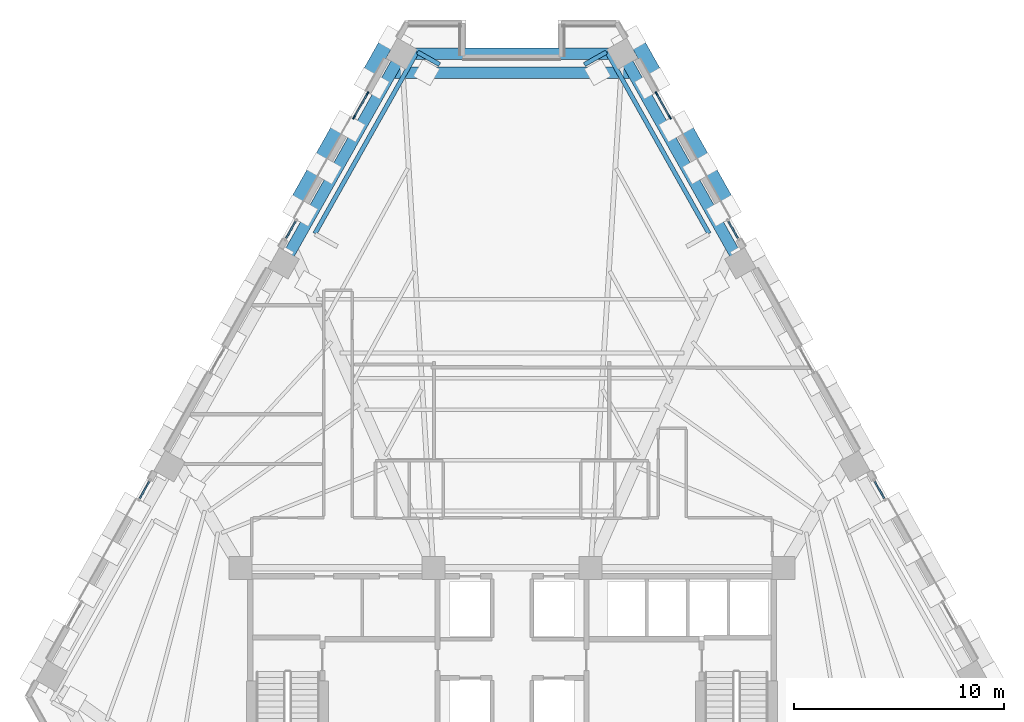
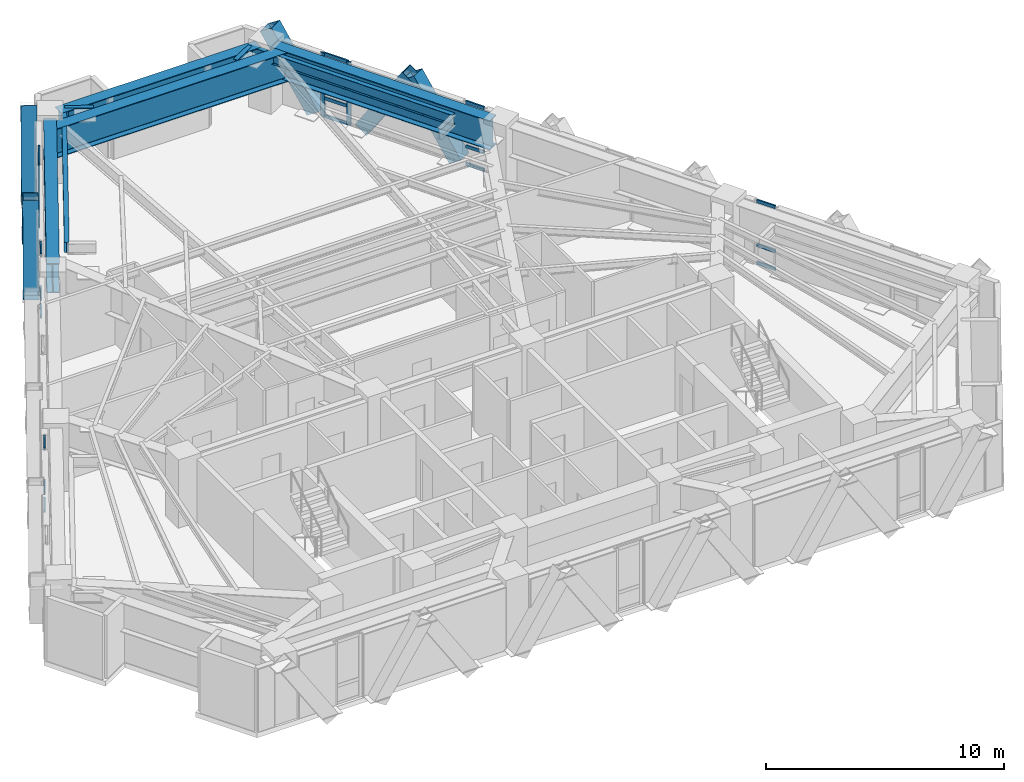
# One storey, part 5 of 13: 28 members, 8 beams, 6 elements without a shape of their own.
"""IFC4 building model written with IfcOpenShell, lengths in metres."""

from ifc_helpers import new_model, si_unit, direction, frame, origin, origin_2d, place, context, subcontext, project, spatial, rectangle, hollow_rectangle, i_section, extrude, material, material_profile, profile_set, type_object, element, aggregate, save


model = new_model("IFC4")

# Units and contexts
model_context = context("Model", 3, precision=1e-05, world=origin(), true_north=direction((0.0, 1.0)))
body_context = subcontext(model_context, "Body", "Model", "MODEL_VIEW")
ifc_project = project(units=[si_unit("LENGTHUNIT", "METRE"), si_unit("AREAUNIT", "SQUARE_METRE"), si_unit("VOLUMEUNIT", "CUBIC_METRE"), si_unit("PLANEANGLEUNIT", "RADIAN"), si_unit("MASSUNIT", "GRAM", prefix="KILO")], contexts=[model_context])

# Site, building, storey
site_placement = place(None, origin())
site = spatial("IfcSite", under=ifc_project, at=site_placement, CompositionType="ELEMENT")
building_placement = place(site_placement, origin())
building = spatial("IfcBuilding", under=site, at=building_placement, Name="Quenlor Broadcast Tower", CompositionType="ELEMENT")
storey_placement = place(building_placement, frame((0.0, 0.0, 126.5)))
storey = spatial("IfcBuildingStorey", under=building, at=storey_placement, Name="L34", CompositionType="ELEMENT", Elevation=126.5)

# Curtain wall, members
ifc_material_1 = material(Name="Architectural Terracotta and Low-E Glazing", Category="masonry")
curtain_wall_type = type_object("IfcCurtainWallType", Name="Unitised Terracotta Curtain Wall System Z2", PredefinedType="NOTDEFINED", material=ifc_material_1)
curtain_wall_1_placement = place(storey_placement, origin())
curtain_wall_1 = element("IfcCurtainWall", 1, at=curtain_wall_1_placement, inside=storey, type_object=curtain_wall_type, Name="L34 Curtain Wall CW2 (L34-NEA-G1)", PredefinedType="NOTDEFINED")
ifc_material_2 = material(Name="Aluminium 6063-T6", Category="aluminium")
ifc_material_profile_1 = material_profile(ifc_material_2, rectangle(XDim=0.074951171875, YDim=0.199951171875, at=origin_2d()))
ifc_profile_set_1 = profile_set([ifc_material_profile_1], Name="Aluminium 6063-T6 MULL75x200")
member_type_1 = type_object("IfcMemberType", Name="CW2 Aluminium Mullion MULL_CW2", PredefinedType="MULLION", material=ifc_profile_set_1)
member_1_placement = place(storey_placement, frame((6.893310546875, 17.81884765625, 0.0), z_axis=(0.0, 0.0, 1.0), x_axis=(0.871583366376, 0.490247320704, 0.0)))
member_1 = element("IfcMember", 2, at=member_1_placement, type_object=member_type_1, Name="CW2 mullion 1", PredefinedType="MULLION", context=body_context, shape_type="SweptSolid", body=[
    extrude(rectangle(XDim=0.074951171875, YDim=0.199951171875, at=origin_2d()), origin(), (0.0, 0.0, 1.0), 3.25),
])
member_2_placement = place(storey_placement, frame((7.525390625, 16.695068359375, 0.0), z_axis=(0.0, 0.0, 1.0), x_axis=(0.871583366376, 0.490247320704, 0.0)))
member_2 = element("IfcMember", 3, at=member_2_placement, type_object=member_type_1, Name="CW2 mullion 2", PredefinedType="MULLION", context=body_context, shape_type="SweptSolid", body=[
    extrude(rectangle(XDim=0.074951171875, YDim=0.199951171875, at=origin_2d()), origin(), (0.0, 0.0, 1.0), 3.25),
])

curtain_wall_2_placement = place(storey_placement, origin())
curtain_wall_2 = element("IfcCurtainWall", 4, at=curtain_wall_2_placement, inside=storey, type_object=curtain_wall_type, Name="L34 Curtain Wall CW2 (L34-NWC-G2)", PredefinedType="NOTDEFINED")
member_3_placement = place(storey_placement, frame((-7.525390625, 16.695068359375, 0.0), z_axis=(0.0, 0.0, 1.0), x_axis=(-0.871583366376, 0.490247320704, 0.0)))
member_3 = element("IfcMember", 5, at=member_3_placement, type_object=member_type_1, Name="CW2 mullion 1", PredefinedType="MULLION", context=body_context, shape_type="SweptSolid", body=[
    extrude(rectangle(XDim=0.074951171875, YDim=0.199951171875, at=origin_2d()), origin(), (0.0, 0.0, 1.0), 3.25),
])
member_4_placement = place(storey_placement, frame((-6.893310546875, 17.81884765625, 0.0), z_axis=(0.0, 0.0, 1.0), x_axis=(-0.871583366376, 0.490247320704, 0.0)))
member_4 = element("IfcMember", 6, at=member_4_placement, type_object=member_type_1, Name="CW2 mullion 2", PredefinedType="MULLION", context=body_context, shape_type="SweptSolid", body=[
    extrude(rectangle(XDim=0.074951171875, YDim=0.199951171875, at=origin_2d()), origin(), (0.0, 0.0, 1.0), 3.25),
])

# Member
ifc_material_3 = material(Name="Aluminium 6063-T6", Category="aluminium")
ifc_material_profile_2 = material_profile(ifc_material_3, rectangle(XDim=0.074951171875, YDim=0.1650390625, at=origin_2d()))
ifc_profile_set_2 = profile_set([ifc_material_profile_2], Name="Aluminium 6063-T6 TRAN75x165")
member_type_2 = type_object("IfcMemberType", Name="CW2 Aluminium Transom TRAN_CW2", PredefinedType="USERDEFINED", material=ifc_profile_set_2)
member_5_placement = place(storey_placement, frame((6.91162109375, 17.7861328125, 0.03759765625), z_axis=(0.490347143438, -0.871527210661, 0.0), x_axis=(0.871527210661, 0.490347143438, 0.0)))
member_5 = element("IfcMember", 7, at=member_5_placement, type_object=member_type_2, Name="CW2 transom 1.1", ObjectType="TRANSOM", PredefinedType="USERDEFINED", context=body_context, shape_type="SweptSolid", body=[
    extrude(rectangle(XDim=0.074951171875, YDim=0.1650390625, at=origin_2d()), origin(), (0.0, 0.0, 1.0), 1.21435546875),
])

member_6_placement = place(storey_placement, frame((6.91162109375, 17.7861328125, 0.949951171875), z_axis=(0.490347143438, -0.871527210661, 0.0), x_axis=(0.871527210661, 0.490347143438, 0.0)))
member_6 = element("IfcMember", 8, at=member_6_placement, type_object=member_type_2, Name="CW2 transom 1.2", ObjectType="TRANSOM", PredefinedType="USERDEFINED", context=body_context, shape_type="SweptSolid", body=[
    extrude(rectangle(XDim=0.074951171875, YDim=0.1650390625, at=origin_2d()), origin(), (0.0, 0.0, 1.0), 1.21435546875),
])

member_7_placement = place(storey_placement, frame((6.91162109375, 17.7861328125, 3.21240234375), z_axis=(0.490347143438, -0.871527210661, 0.0), x_axis=(0.871527210661, 0.490347143438, 0.0)))
member_7 = element("IfcMember", 9, at=member_7_placement, type_object=member_type_2, Name="CW2 transom 1.3", ObjectType="TRANSOM", PredefinedType="USERDEFINED", context=body_context, shape_type="SweptSolid", body=[
    extrude(rectangle(XDim=0.074951171875, YDim=0.1650390625, at=origin_2d()), origin(), (0.0, 0.0, 1.0), 1.21435546875),
])

aggregate(curtain_wall_1, [member_1, member_2, member_5, member_6, member_7])

# Curtain wall, members
curtain_wall_3_placement = place(storey_placement, origin())
curtain_wall_3 = element("IfcCurtainWall", 10, at=curtain_wall_3_placement, inside=storey, type_object=curtain_wall_type, Name="L34 Curtain Wall CW2 (L34-NEA-G2)", PredefinedType="NOTDEFINED")
member_8_placement = place(storey_placement, frame((10.32470703125, 11.718505859375, 0.03759765625), z_axis=(0.490363403455, -0.871518062092, 0.0), x_axis=(0.871518062092, 0.490363403455, 0.0)))
member_8 = element("IfcMember", 11, at=member_8_placement, type_object=member_type_2, Name="CW2 transom 1.1", ObjectType="TRANSOM", PredefinedType="USERDEFINED", context=body_context, shape_type="SweptSolid", body=[
    extrude(rectangle(XDim=0.074951171875, YDim=0.1650390625, at=origin_2d()), origin(), (0.0, 0.0, 1.0), 0.90771484375),
])
member_9_placement = place(storey_placement, frame((10.32470703125, 11.718505859375, 0.949951171875), z_axis=(0.490363403455, -0.871518062092, 0.0), x_axis=(0.871518062092, 0.490363403455, 0.0)))
member_9 = element("IfcMember", 12, at=member_9_placement, type_object=member_type_2, Name="CW2 transom 1.2", ObjectType="TRANSOM", PredefinedType="USERDEFINED", context=body_context, shape_type="SweptSolid", body=[
    extrude(rectangle(XDim=0.074951171875, YDim=0.1650390625, at=origin_2d()), origin(), (0.0, 0.0, 1.0), 0.90771484375),
])
member_10_placement = place(storey_placement, frame((10.32470703125, 11.718505859375, 3.21240234375), z_axis=(0.490363403455, -0.871518062092, 0.0), x_axis=(0.871518062092, 0.490363403455, 0.0)))
member_10 = element("IfcMember", 13, at=member_10_placement, type_object=member_type_2, Name="CW2 transom 1.3", ObjectType="TRANSOM", PredefinedType="USERDEFINED", context=body_context, shape_type="SweptSolid", body=[
    extrude(rectangle(XDim=0.074951171875, YDim=0.1650390625, at=origin_2d()), origin(), (0.0, 0.0, 1.0), 0.90771484375),
])
aggregate(curtain_wall_3, [member_8, member_9, member_10])

curtain_wall_4_placement = place(storey_placement, origin())
curtain_wall_4 = element("IfcCurtainWall", 14, at=curtain_wall_4_placement, inside=storey, type_object=curtain_wall_type, Name="L34 Curtain Wall CW2 (L34-NEC-G1)", PredefinedType="NOTDEFINED")
member_11_placement = place(storey_placement, frame((17.30126953125, -0.684326171875, 0.03759765625), z_axis=(0.490363403455, -0.871518062092, 0.0), x_axis=(0.871518062092, 0.490363403455, 0.0)))
member_11 = element("IfcMember", 15, at=member_11_placement, type_object=member_type_2, Name="CW2 transom 1.1", ObjectType="TRANSOM", PredefinedType="USERDEFINED", context=body_context, shape_type="SweptSolid", body=[
    extrude(rectangle(XDim=0.074951171875, YDim=0.1650390625, at=origin_2d()), origin(), (0.0, 0.0, 1.0), 0.90771484375),
])
member_12_placement = place(storey_placement, frame((17.30126953125, -0.684326171875, 0.949951171875), z_axis=(0.490363403455, -0.871518062092, 0.0), x_axis=(0.871518062092, 0.490363403455, 0.0)))
member_12 = element("IfcMember", 16, at=member_12_placement, type_object=member_type_2, Name="CW2 transom 1.2", ObjectType="TRANSOM", PredefinedType="USERDEFINED", context=body_context, shape_type="SweptSolid", body=[
    extrude(rectangle(XDim=0.074951171875, YDim=0.1650390625, at=origin_2d()), origin(), (0.0, 0.0, 1.0), 0.90771484375),
])
member_13_placement = place(storey_placement, frame((17.30126953125, -0.684326171875, 3.21240234375), z_axis=(0.490363403455, -0.871518062092, 0.0), x_axis=(0.871518062092, 0.490363403455, 0.0)))
member_13 = element("IfcMember", 17, at=member_13_placement, type_object=member_type_2, Name="CW2 transom 1.3", ObjectType="TRANSOM", PredefinedType="USERDEFINED", context=body_context, shape_type="SweptSolid", body=[
    extrude(rectangle(XDim=0.074951171875, YDim=0.1650390625, at=origin_2d()), origin(), (0.0, 0.0, 1.0), 0.90771484375),
])
aggregate(curtain_wall_4, [member_11, member_12, member_13])

curtain_wall_5_placement = place(storey_placement, origin())
curtain_wall_5 = element("IfcCurtainWall", 18, at=curtain_wall_5_placement, inside=storey, type_object=curtain_wall_type, Name="L34 Curtain Wall CW2 (L34-NWA-G2)", PredefinedType="NOTDEFINED")
member_14_placement = place(storey_placement, frame((-17.746337890625, -1.475341796875, 0.03759765625), z_axis=(0.490363403455, 0.871518062092, 0.0), x_axis=(-0.871518062092, 0.490363403455, 0.0)))
member_14 = element("IfcMember", 19, at=member_14_placement, type_object=member_type_2, Name="CW2 transom 1.1", ObjectType="TRANSOM", PredefinedType="USERDEFINED", context=body_context, shape_type="SweptSolid", body=[
    extrude(rectangle(XDim=0.074951171875, YDim=0.1650390625, at=origin_2d()), origin(), (0.0, 0.0, 1.0), 0.90771484375),
])
member_15_placement = place(storey_placement, frame((-17.746337890625, -1.475341796875, 0.949951171875), z_axis=(0.490363403455, 0.871518062092, 0.0), x_axis=(-0.871518062092, 0.490363403455, 0.0)))
member_15 = element("IfcMember", 20, at=member_15_placement, type_object=member_type_2, Name="CW2 transom 1.2", ObjectType="TRANSOM", PredefinedType="USERDEFINED", context=body_context, shape_type="SweptSolid", body=[
    extrude(rectangle(XDim=0.074951171875, YDim=0.1650390625, at=origin_2d()), origin(), (0.0, 0.0, 1.0), 0.90771484375),
])
member_16_placement = place(storey_placement, frame((-17.746337890625, -1.475341796875, 3.21240234375), z_axis=(0.490363403455, 0.871518062092, 0.0), x_axis=(-0.871518062092, 0.490363403455, 0.0)))
member_16 = element("IfcMember", 21, at=member_16_placement, type_object=member_type_2, Name="CW2 transom 1.3", ObjectType="TRANSOM", PredefinedType="USERDEFINED", context=body_context, shape_type="SweptSolid", body=[
    extrude(rectangle(XDim=0.074951171875, YDim=0.1650390625, at=origin_2d()), origin(), (0.0, 0.0, 1.0), 0.90771484375),
])
aggregate(curtain_wall_5, [member_14, member_15, member_16])

curtain_wall_6_placement = place(storey_placement, origin())
curtain_wall_6 = element("IfcCurtainWall", 22, at=curtain_wall_6_placement, inside=storey, type_object=curtain_wall_type, Name="L34 Curtain Wall CW2 (L34-NWC-G1)", PredefinedType="NOTDEFINED")
member_17_placement = place(storey_placement, frame((-10.769775390625, 10.927490234375, 0.03759765625), z_axis=(0.490363403455, 0.871518062092, 0.0), x_axis=(-0.871518062092, 0.490363403455, 0.0)))
member_17 = element("IfcMember", 23, at=member_17_placement, type_object=member_type_2, Name="CW2 transom 1.1", ObjectType="TRANSOM", PredefinedType="USERDEFINED", context=body_context, shape_type="SweptSolid", body=[
    extrude(rectangle(XDim=0.074951171875, YDim=0.1650390625, at=origin_2d()), origin(), (0.0, 0.0, 1.0), 0.90771484375),
])
member_18_placement = place(storey_placement, frame((-10.769775390625, 10.927490234375, 0.949951171875), z_axis=(0.490363403455, 0.871518062092, 0.0), x_axis=(-0.871518062092, 0.490363403455, 0.0)))
member_18 = element("IfcMember", 24, at=member_18_placement, type_object=member_type_2, Name="CW2 transom 1.2", ObjectType="TRANSOM", PredefinedType="USERDEFINED", context=body_context, shape_type="SweptSolid", body=[
    extrude(rectangle(XDim=0.074951171875, YDim=0.1650390625, at=origin_2d()), origin(), (0.0, 0.0, 1.0), 0.90771484375),
])
member_19_placement = place(storey_placement, frame((-10.769775390625, 10.927490234375, 3.21240234375), z_axis=(0.490363403455, 0.871518062092, 0.0), x_axis=(-0.871518062092, 0.490363403455, 0.0)))
member_19 = element("IfcMember", 25, at=member_19_placement, type_object=member_type_2, Name="CW2 transom 1.3", ObjectType="TRANSOM", PredefinedType="USERDEFINED", context=body_context, shape_type="SweptSolid", body=[
    extrude(rectangle(XDim=0.074951171875, YDim=0.1650390625, at=origin_2d()), origin(), (0.0, 0.0, 1.0), 0.90771484375),
])
aggregate(curtain_wall_6, [member_17, member_18, member_19])

# Member
member_20_placement = place(storey_placement, frame((-7.507080078125, 16.727783203125, 0.03759765625), z_axis=(0.490347143438, 0.871527210661, 0.0), x_axis=(-0.871527210661, 0.490347143438, 0.0)))
member_20 = element("IfcMember", 26, at=member_20_placement, type_object=member_type_2, Name="CW2 transom 1.1", ObjectType="TRANSOM", PredefinedType="USERDEFINED", context=body_context, shape_type="SweptSolid", body=[
    extrude(rectangle(XDim=0.074951171875, YDim=0.1650390625, at=origin_2d()), origin(), (0.0, 0.0, 1.0), 1.21435546875),
])

member_21_placement = place(storey_placement, frame((-7.507080078125, 16.727783203125, 0.949951171875), z_axis=(0.490347143438, 0.871527210661, 0.0), x_axis=(-0.871527210661, 0.490347143438, 0.0)))
member_21 = element("IfcMember", 27, at=member_21_placement, type_object=member_type_2, Name="CW2 transom 1.2", ObjectType="TRANSOM", PredefinedType="USERDEFINED", context=body_context, shape_type="SweptSolid", body=[
    extrude(rectangle(XDim=0.074951171875, YDim=0.1650390625, at=origin_2d()), origin(), (0.0, 0.0, 1.0), 1.21435546875),
])

member_22_placement = place(storey_placement, frame((-7.507080078125, 16.727783203125, 3.21240234375), z_axis=(0.490347143438, 0.871527210661, 0.0), x_axis=(-0.871527210661, 0.490347143438, 0.0)))
member_22 = element("IfcMember", 28, at=member_22_placement, type_object=member_type_2, Name="CW2 transom 1.3", ObjectType="TRANSOM", PredefinedType="USERDEFINED", context=body_context, shape_type="SweptSolid", body=[
    extrude(rectangle(XDim=0.074951171875, YDim=0.1650390625, at=origin_2d()), origin(), (0.0, 0.0, 1.0), 1.21435546875),
])

aggregate(curtain_wall_2, [member_3, member_4, member_20, member_21, member_22])

# Members
ifc_material_4 = material(Name="Steel S355", Category="steel")
ifc_material_profile_3 = material_profile(ifc_material_4, hollow_rectangle(XDim=0.679931640625, YDim=0.679931640625, WallThickness=0.030029296875, at=origin_2d()))
ifc_profile_set_3 = profile_set([ifc_material_profile_3], Name="Steel S355 RHS680x680x30")
member_type_3 = type_object("IfcMemberType", Name="Perimeter Diagonal Lattice Brace Z2 Steel S355 RHS680x30", PredefinedType="BRACE", material=ifc_profile_set_3)
for number, where, z_axis, x_axis, name in (
    (29, (8.12939453125, 16.42724609375, -0.1201171875), (0.268642373731, -0.477592925498, 0.83650240439), (0.871578380919, 0.490256183964, 0.0), "L34 Perimeter Diamond Lattice NE-C1S"),
    (30, (6.977783203125, 18.47412109375, -0.1201171875), (-0.26858823371, 0.477600411236, 0.836515515636), (-0.871623880158, -0.490175286544, 0.0), "L34 Perimeter Diamond Lattice NE-C1B"),
    (31, (10.39111328125, 12.406494140625, -0.1201171875), (-0.268642373731, 0.477592925498, 0.83650240439), (-0.871578380919, -0.490256183964, 0.0), "L34 Perimeter Diamond Lattice NE-C2B"),
    (32, (-10.39111328125, 12.406494140625, -0.1201171875), (0.268642373731, 0.477592925498, 0.83650240439), (-0.871578380919, 0.490256183964, 0.0), "L34 Perimeter Diamond Lattice NW-C4S"),
    (33, (-6.977783203125, 18.47412109375, -0.1201171875), (0.26858823371, 0.477600411236, 0.836515515636), (-0.871623880158, 0.490175286544, 0.0), "L34 Perimeter Diamond Lattice NW-C5S"),
    (34, (-8.12939453125, 16.42724609375, -0.1201171875), (-0.268642373731, -0.477592925498, 0.83650240439), (0.871578380919, -0.490256183964, 0.0), "L34 Perimeter Diamond Lattice NW-C5B"),
):
    element("IfcMember", number, at=place(storey_placement, frame(where, z_axis=z_axis, x_axis=x_axis)), inside=storey, type_object=member_type_3, Name=name, PredefinedType="BRACE", context=body_context, shape_type="SweptSolid", body=[
        extrude(hollow_rectangle(XDim=0.679931640625, YDim=0.679931640625, WallThickness=0.030029296875, at=origin_2d()), origin(), (0.0, 0.0, 1.0), 4.18408203125),
    ])

# Beams
ifc_material_5 = material(Name="Steel S355", Category="steel")
ifc_material_profile_4 = material_profile(ifc_material_5, i_section(OverallWidth=0.208984375, OverallDepth=0.532958984375, WebThickness=0.01025390625, FlangeThickness=0.015625, FilletRadius=0.013916015625, at=origin_2d()))
ifc_profile_set_4 = profile_set([ifc_material_profile_4], Name="Steel S355 530UB92.4")
beam_type_1 = type_object("IfcBeamType", Name="Perimeter Spandrel Beam Z1 Steel S355 530UB92.4", PredefinedType="SPANDREL", material=ifc_profile_set_4)
beam_1_placement = place(storey_placement, frame((3.451416015625, 19.2041015625, 2.9833984375), z_axis=(0.871661741425, 0.490107956001, 0.0), x_axis=(-0.490107956001, 0.871661741425, 0.0)))
element("IfcBeam", 35, at=beam_1_placement, inside=storey, type_object=beam_type_1, Name="L34 Lattice Sill Radial Tie NEA1", PredefinedType="SPANDREL", context=body_context, shape_type="SweptSolid", body=[
    extrude(i_section(OverallWidth=0.208984375, OverallDepth=0.532958984375, WebThickness=0.01025390625, FlangeThickness=0.015625, FilletRadius=0.013916015625, at=origin_2d()), origin(), (0.0, 0.0, 1.0), 1.2099609375),
])
beam_2_placement = place(storey_placement, frame((4.533203125, 19.78955078125, 2.9833984375), z_axis=(0.490279938093, -0.871565018977, 0.0), x_axis=(0.871565018977, 0.490279938093, 0.0)))
element("IfcBeam", 36, at=beam_2_placement, inside=storey, type_object=beam_type_1, Name="L34 Lattice Sill Girder NEA", PredefinedType="SPANDREL", context=body_context, shape_type="SweptSolid", body=[
    extrude(i_section(OverallWidth=0.208984375, OverallDepth=0.532958984375, WebThickness=0.01025390625, FlangeThickness=0.015625, FilletRadius=0.013916015625, at=origin_2d()), origin(), (0.0, 0.0, 1.0), 9.91845703125),
])
beam_3_placement = place(storey_placement, frame((-3.451416015625, 19.2041015625, 2.9833984375), z_axis=(-0.871661741425, 0.490107956001, 0.0), x_axis=(-0.490107956001, -0.871661741425, 0.0)))
element("IfcBeam", 37, at=beam_3_placement, inside=storey, type_object=beam_type_1, Name="L34 Lattice Sill Radial Tie NWB2", PredefinedType="SPANDREL", context=body_context, shape_type="SweptSolid", body=[
    extrude(i_section(OverallWidth=0.208984375, OverallDepth=0.532958984375, WebThickness=0.01025390625, FlangeThickness=0.015625, FilletRadius=0.013916015625, at=origin_2d()), origin(), (0.0, 0.0, 1.0), 1.2099609375),
])
beam_4_placement = place(storey_placement, frame((-9.39599609375, 11.14501953125, 2.9833984375), z_axis=(0.490279938093, 0.871565018977, 0.0), x_axis=(-0.871565018977, 0.490279938093, 0.0)))
element("IfcBeam", 38, at=beam_4_placement, inside=storey, type_object=beam_type_1, Name="L34 Lattice Sill Girder NWB", PredefinedType="SPANDREL", context=body_context, shape_type="SweptSolid", body=[
    extrude(i_section(OverallWidth=0.208984375, OverallDepth=0.532958984375, WebThickness=0.01025390625, FlangeThickness=0.015625, FilletRadius=0.013916015625, at=origin_2d()), origin(), (0.0, 0.0, 1.0), 9.91845703125),
])
ifc_material_6 = material(Name="Steel S355", Category="steel")
ifc_material_profile_5 = material_profile(ifc_material_6, i_section(OverallWidth=0.550048828125, OverallDepth=1.5, WebThickness=0.02197265625, FlangeThickness=0.034912109375, FilletRadius=0.01806640625, at=origin_2d()))
ifc_profile_set_5 = profile_set([ifc_material_profile_5], Name="Steel S355 1500TG510")
beam_type_2 = type_object("IfcBeamType", Name="Zone Setback Transfer Girder Steel S355 1500", PredefinedType="BEAM", material=ifc_profile_set_5)
beam_5_placement = place(storey_placement, frame((10.685791015625, 10.076904296875, 2.5), z_axis=(-0.490236213386, 0.871589613916, 0.0), x_axis=(-0.871589613916, -0.490236213386, 0.0)))
element("IfcBeam", 39, at=beam_5_placement, inside=storey, type_object=beam_type_2, Name="L34 Spandrel Beam NE3-NE4", PredefinedType="BEAM", context=body_context, shape_type="SweptSolid", body=[
    extrude(i_section(OverallWidth=0.550048828125, OverallDepth=1.5, WebThickness=0.02197265625, FlangeThickness=0.034912109375, FilletRadius=0.01806640625, at=origin_2d()), origin(), (0.0, 0.0, 1.0), 10.65283203125),
])
beam_6_placement = place(storey_placement, frame((4.852294921875, 19.718994140625, 2.5), z_axis=(-1.0, 0.0, 0.0), x_axis=(0.0, -1.0, 0.0)))
element("IfcBeam", 40, at=beam_6_placement, inside=storey, type_object=beam_type_2, Name="L34 Spandrel Beam NE4-NW1", PredefinedType="BEAM", context=body_context, shape_type="SweptSolid", body=[
    extrude(i_section(OverallWidth=0.550048828125, OverallDepth=1.5, WebThickness=0.02197265625, FlangeThickness=0.034912109375, FilletRadius=0.01806640625, at=origin_2d()), origin(), (0.0, 0.0, 1.0), 9.70458984375),
])
beam_7_placement = place(storey_placement, frame((-5.46337890625, 19.36181640625, 2.5), z_axis=(-0.490236213386, -0.871589613916, 0.0), x_axis=(0.871589613916, -0.490236213386, 0.0)))
element("IfcBeam", 41, at=beam_7_placement, inside=storey, type_object=beam_type_2, Name="L34 Spandrel Beam NW1-NW2", PredefinedType="BEAM", context=body_context, shape_type="SweptSolid", body=[
    extrude(i_section(OverallWidth=0.550048828125, OverallDepth=1.5, WebThickness=0.02197265625, FlangeThickness=0.034912109375, FilletRadius=0.01806640625, at=origin_2d()), origin(), (0.0, 0.0, 1.0), 10.65283203125),
])
beam_8_placement = place(storey_placement, frame((-5.626953125, 18.822021484375, 2.5), z_axis=(1.0, 0.0, 0.0), x_axis=(0.0, 1.0, 0.0)))
element("IfcBeam", 42, at=beam_8_placement, inside=storey, type_object=beam_type_2, Name="L34 Apex Setback Transfer Girder", PredefinedType="BEAM", context=body_context, shape_type="SweptSolid", body=[
    extrude(i_section(OverallWidth=0.550048828125, OverallDepth=1.5, WebThickness=0.02197265625, FlangeThickness=0.034912109375, FilletRadius=0.01806640625, at=origin_2d()), origin(), (0.0, 0.0, 1.0), 11.25390625),
])

save(model, "model.ifc")
